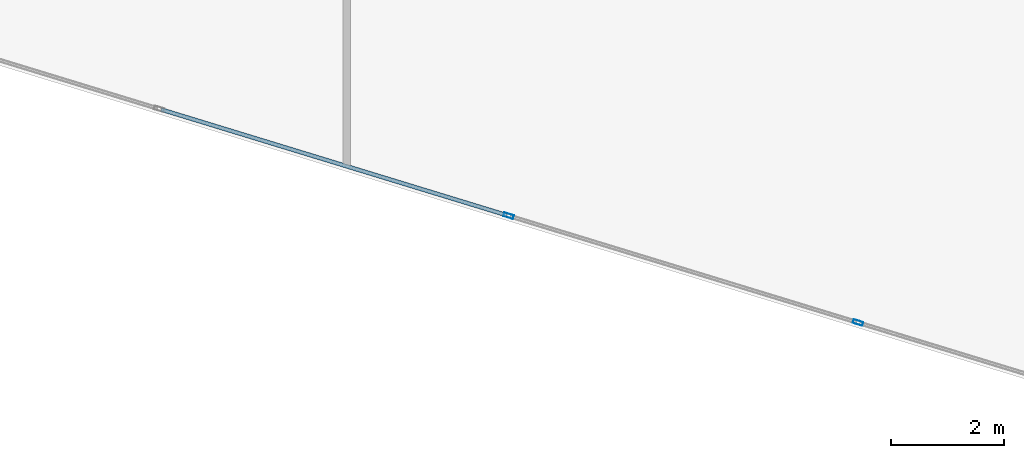
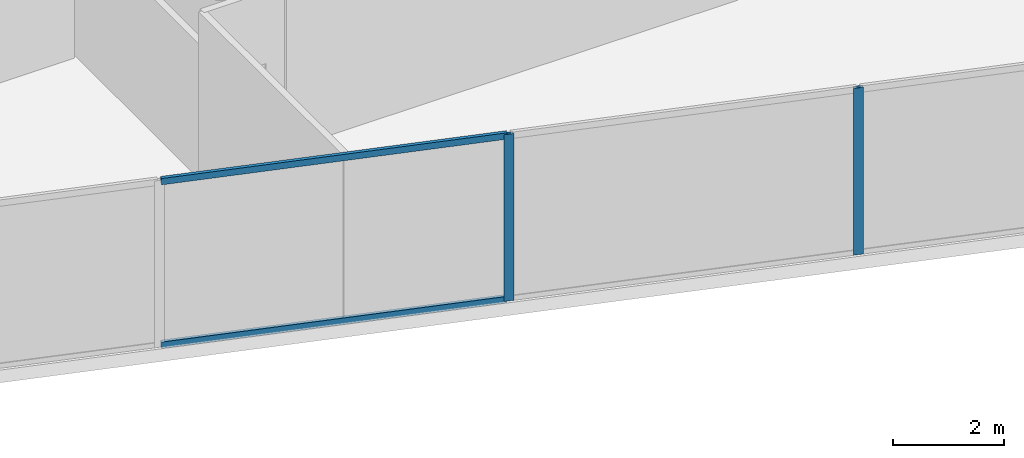
# One storey, part 3 of 26: 4 members, 1 element without a shape of its own.
"""IFC4 building model written with IfcOpenShell, lengths in metres."""

from ifc_helpers import new_model, si_unit, direction, frame, origin, origin_2d, place, context, subcontext, project, spatial, hollow_rectangle, extrude, source, transform, mapped, material, material_profile, profile_set, type_object, type_shapes, element, aggregate, save


model = new_model("IFC4")

# Units and contexts
model_context = context("Model", 3, precision=1e-05, world=origin(), true_north=direction((0.0, 1.0)))
body_context = subcontext(model_context, "Body", "Model", "MODEL_VIEW")
ifc_project = project(units=[si_unit("LENGTHUNIT", "METRE"), si_unit("AREAUNIT", "SQUARE_METRE"), si_unit("VOLUMEUNIT", "CUBIC_METRE"), si_unit("PLANEANGLEUNIT", "RADIAN"), si_unit("MASSUNIT", "GRAM", prefix="KILO")], contexts=[model_context])

# Site, building, storey
site_placement = place(None, origin())
site = spatial("IfcSite", under=ifc_project, at=site_placement, CompositionType="ELEMENT")
building_placement = place(site_placement, origin())
building = spatial("IfcBuilding", under=site, at=building_placement, Name="Krantzveldt Concourse Tower", CompositionType="ELEMENT")
storey_placement = place(building_placement, frame((0.0, 0.0, 109.800048828125)))
storey = spatial("IfcBuildingStorey", under=building, at=storey_placement, Name="L26", CompositionType="ELEMENT", Elevation=109.800048828125)

# Curtain wall, members
ifc_material = material(Name="Anodised aluminium 6063-T6", Category="aluminium")
curtain_wall_type = type_object("IfcCurtainWallType", Name="CW2", PredefinedType="USERDEFINED", material=ifc_material)
curtain_wall_placement = place(storey_placement, origin())
curtain_wall = element("IfcCurtainWall", 1, at=curtain_wall_placement, inside=storey, type_object=curtain_wall_type, Name="CW-L26-F04", ObjectType="UNITISED CURTAIN WALL", PredefinedType="USERDEFINED")
ifc_material_profile_1 = material_profile(ifc_material, hollow_rectangle(XDim=0.070068359375, YDim=0.179931640625, WallThickness=0.0048828125, at=origin_2d()), Name="Anodised aluminium 6063-T6", Category="aluminium")
ifc_profile_set_1 = profile_set([ifc_material_profile_1], Name="Anodised aluminium 6063-T6 - ALU-MULL 180x70x5")
member_type_1 = type_object("IfcMemberType", Name="CW-MUL-180", PredefinedType="MULLION", material=ifc_profile_set_1)
shared_shape_1 = source(origin(), body_context, "Body", "SweptSolid", [
    extrude(hollow_rectangle(XDim=0.070068359375, YDim=0.179931640625, WallThickness=0.0048828125, at=origin_2d()), origin(), (0.0, 0.0, 1.0), 3.669921875),
])
type_shapes(member_type_1, [shared_shape_1])
member_1_placement = place(storey_placement, frame((29.184814453125, 4.408447265625, 0.0), z_axis=(0.0, 0.0, 1.0), x_axis=(0.292371686864, 0.956304761423, 0.0)))
member_1 = element("IfcMember", 2, at=member_1_placement, type_object=member_type_1, Name="CW-Z12 mullion 4", PredefinedType="MULLION", context=body_context, shape_type="MappedRepresentation", body=[
    mapped(shared_shape_1, transform((0.0, 0.0, 0.0), x_axis=(1.0, 0.0, 0.0), y_axis=(0.0, 1.0, 0.0), z_axis=(0.0, 0.0, 1.0), scale=1.0)),
])
member_2_placement = place(storey_placement, frame((35.368896484375, 2.517822265625, 0.0), z_axis=(0.0, 0.0, 1.0), x_axis=(0.292371686864, 0.956304761423, 0.0)))
member_2 = element("IfcMember", 3, at=member_2_placement, type_object=member_type_1, Name="CW-Z12 mullion 5", PredefinedType="MULLION", context=body_context, shape_type="MappedRepresentation", body=[
    mapped(shared_shape_1, transform((0.0, 0.0, 0.0), x_axis=(1.0, 0.0, 0.0), y_axis=(0.0, 1.0, 0.0), z_axis=(0.0, 0.0, 1.0), scale=1.0)),
])
ifc_material_profile_2 = material_profile(ifc_material, hollow_rectangle(XDim=0.070068359375, YDim=0.139892578125, WallThickness=0.0048828125, at=origin_2d()), Name="Anodised aluminium 6063-T6", Category="aluminium")
ifc_profile_set_2 = profile_set([ifc_material_profile_2], Name="Anodised aluminium 6063-T6 - ALU-TRAN 140x70x5")
member_type_2 = type_object("IfcMemberType", Name="CW-TRN-150", PredefinedType="USERDEFINED", material=ifc_profile_set_2)
shared_shape_2 = source(origin(), body_context, "Body", "SweptSolid", [
    extrude(hollow_rectangle(XDim=0.070068359375, YDim=0.139892578125, WallThickness=0.0048828125, at=origin_2d()), origin(), (0.0, 0.0, 1.0), 6.396728515625),
])
type_shapes(member_type_2, [shared_shape_2])
member_3_placement = place(storey_placement, frame((23.0341796875, 6.2890625, 0.034912109375), z_axis=(0.956298224466, -0.292393067434, 0.0), x_axis=(0.292393067434, 0.956298224466, 0.0)))
member_3 = element("IfcMember", 4, at=member_3_placement, type_object=member_type_2, Name="CW-Z12 transom 3.1", ObjectType="TRANSOM", PredefinedType="USERDEFINED", context=body_context, shape_type="MappedRepresentation", body=[
    mapped(shared_shape_2, transform((0.0, 0.0, 0.0), x_axis=(1.0, 0.0, 0.0), y_axis=(0.0, 1.0, 0.0), z_axis=(0.0, 0.0, 1.0), scale=1.0)),
])
member_4_placement = place(storey_placement, frame((23.0341796875, 6.2890625, 3.635009765625), z_axis=(0.956298224466, -0.292393067434, 0.0), x_axis=(0.292393067434, 0.956298224466, 0.0)))
member_4 = element("IfcMember", 5, at=member_4_placement, type_object=member_type_2, Name="CW-Z12 transom 3.2", ObjectType="TRANSOM", PredefinedType="USERDEFINED", context=body_context, shape_type="MappedRepresentation", body=[
    mapped(shared_shape_2, transform((0.0, 0.0, 0.0), x_axis=(1.0, 0.0, 0.0), y_axis=(0.0, 1.0, 0.0), z_axis=(0.0, 0.0, 1.0), scale=1.0)),
])
aggregate(curtain_wall, [member_1, member_2, member_3, member_4])

save(model, "model.ifc")
